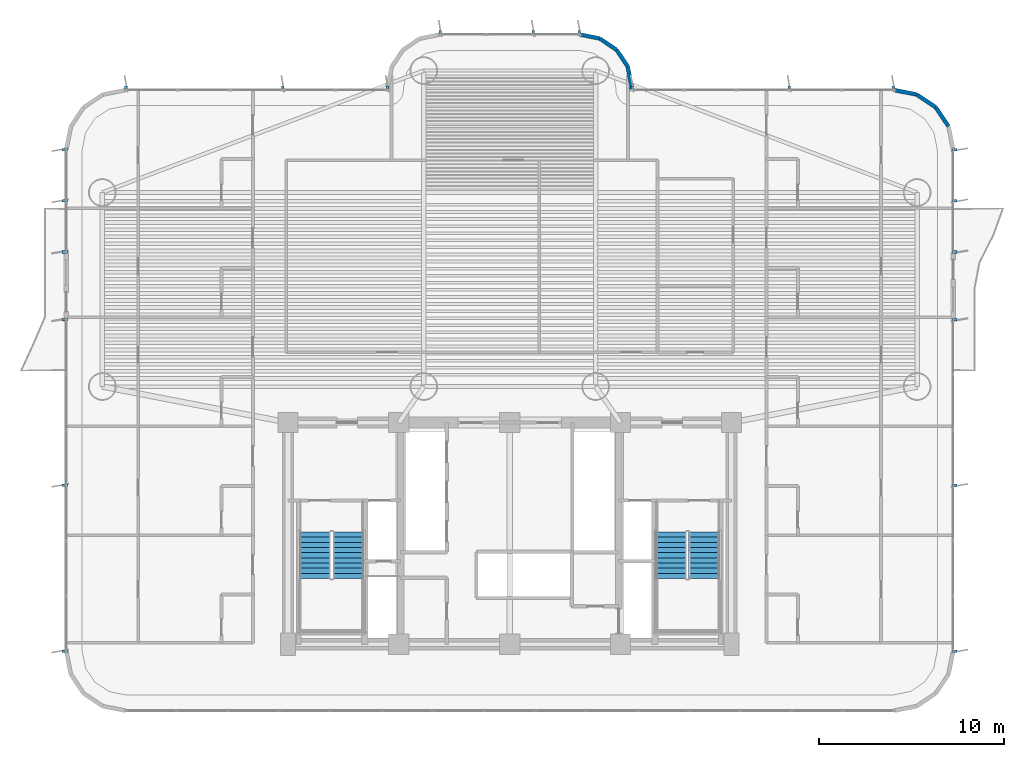
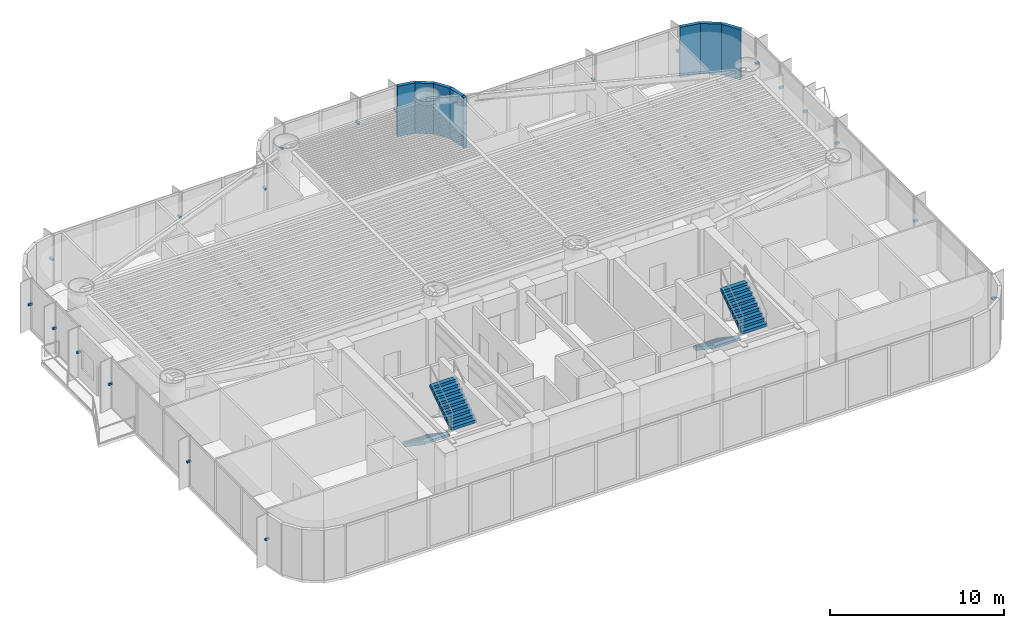
# One storey, part 14 of 18: 21 discrete accessories, 8 walls, 4 stair flights, 2 elements without a shape of their own.
"""IFC4 building model written with IfcOpenShell, lengths in metres."""

import ifcopenshell
import ifcopenshell.guid

model = None  # the IFC model being written
_history = None  # IfcOwnerHistory: only IFC2X3 demands one
_inside = {}  # id of a spatial element -> (the spatial element, [elements in it])
_under = {}  # id of a project, library or spatial element -> (it, [spatial elements below it])
_declared = {}  # id of a project -> (the project, [libraries it declares])
_typed = {}  # id of a type object -> (the type object, [elements of that type])
_made_of = {}  # id of a material, layer set ... -> (it, [elements and type objects made of it])


def new_model(schema):
    """Start an empty IFC model of exactly this schema.

    Asked for "IFC4X3", IfcOpenShell would pick the latest addendum, in which some entities
    have other attributes; the version numbers below select the first issue.
    IFC2X3 requires an IfcOwnerHistory on every rooted entity: one is made here for all.
    """
    global model, _history
    if schema == "IFC4X3":
        model = ifcopenshell.file(schema_version=(4, 3, 0, 0))
    else:
        model = ifcopenshell.file(schema=schema)
    _inside.clear()
    _under.clear()
    _declared.clear()
    _typed.clear()
    _made_of.clear()
    _history = None
    if model.schema == "IFC2X3":
        org = make("IfcOrganization", Name="unknown")
        user = make(
            "IfcPersonAndOrganization",
            ThePerson=make("IfcPerson", FamilyName="unknown"),
            TheOrganization=org,
        )
        app = make(
            "IfcApplication",
            ApplicationDeveloper=org,
            Version="unknown",
            ApplicationFullName="unknown",
            ApplicationIdentifier="unknown",
        )
        _history = make(
            "IfcOwnerHistory",
            OwningUser=user,
            OwningApplication=app,
            ChangeAction="ADDED",
            CreationDate=0,
        )
    return model


def make(cls, **values):
    """One entity of the class cls with the attributes given. An attribute that is None is left unset."""
    return model.create_entity(
        cls, **{name: value for name, value in values.items() if value is not None}
    )


def rooted(cls, **values):
    """An entity with a GlobalId (a new one), such as an element, a storey or a relation."""
    return make(cls, GlobalId=ifcopenshell.guid.new(), OwnerHistory=_history, **values)


def si_unit(unit_type, name, prefix=None):
    """IfcSIUnit, for example si_unit("LENGTHUNIT", "METRE", prefix="MILLI")."""
    return make("IfcSIUnit", UnitType=unit_type, Prefix=prefix, Name=name)


def assignment(units):
    """IfcUnitAssignment: the units of a project."""
    return None if units is None else make("IfcUnitAssignment", Units=units)


def point(xyz):
    """IfcCartesianPoint."""
    return None if xyz is None else make("IfcCartesianPoint", Coordinates=xyz)


def direction(xyz):
    """IfcDirection."""
    return None if xyz is None else make("IfcDirection", DirectionRatios=xyz)


def frame(location, z_axis=None, x_axis=None):
    """IfcAxis2Placement3D, a coordinate frame: its origin and axes. An axis left out is left unset."""
    return make(
        "IfcAxis2Placement3D",
        Location=point(location),
        Axis=direction(z_axis),
        RefDirection=direction(x_axis),
    )


def frame_2d(location, x_axis=None):
    """IfcAxis2Placement2D, a coordinate frame in the plane: its origin and x axis."""
    return make(
        "IfcAxis2Placement2D", Location=point(location), RefDirection=direction(x_axis)
    )


def origin():
    """The frame at (0, 0, 0) with its axes left unset."""
    return frame((0.0, 0.0, 0.0))


def origin_2d():
    """The frame at (0, 0) in the plane with its x axis left unset."""
    return frame_2d((0.0, 0.0))


def place(relative_to, where):
    """IfcLocalPlacement: puts the frame where relative to a parent placement (None: the world)."""
    return make(
        "IfcLocalPlacement", PlacementRelTo=relative_to, RelativePlacement=where
    )


def context(
    kind, dimensions, precision=None, world=None, true_north=None, identifier=None
):
    """IfcGeometricRepresentationContext, for example the 3D "Model" context."""
    return make(
        "IfcGeometricRepresentationContext",
        ContextIdentifier=identifier,
        ContextType=kind,
        CoordinateSpaceDimension=dimensions,
        Precision=precision,
        WorldCoordinateSystem=world,
        TrueNorth=true_north,
    )


def subcontext(parent, identifier, kind, view, scale=None):
    """IfcGeometricRepresentationSubContext, for example "Body" below "Model"."""
    return make(
        "IfcGeometricRepresentationSubContext",
        ContextIdentifier=identifier,
        ContextType=kind,
        ParentContext=parent,
        TargetScale=scale,
        TargetView=view,
    )


def project(units=None, contexts=None):
    """IfcProject with its units and contexts."""
    return rooted(
        "IfcProject",
        Name="project",
        RepresentationContexts=contexts,
        UnitsInContext=assignment(units),
    )


def spatial(cls, under=None, at=None, **own):
    """A site, building, storey or space (cls), placed at a placement, below another one or the project."""
    s = rooted(cls, ObjectPlacement=at, **own)
    if under is not None:
        _under.setdefault(under.id(), (under, []))[1].append(s)
    return s


def polyline(points):
    """IfcPolyline through the points."""
    return make("IfcPolyline", Points=[point(p) for p in points])


def profile(cls, at=None, kind="AREA", **sizes):
    """A parametric profile (cls). Its sizes go by their IFC names, for example OverallWidth=200.0."""
    return make(cls, ProfileType=kind, Position=at, **sizes)


def rectangle(**sizes):
    """IfcRectangleProfileDef."""
    return profile("IfcRectangleProfileDef", **sizes)


def outline(outer, holes=None, kind="AREA"):
    """IfcArbitraryClosedProfileDef: a profile drawn as a closed curve; with holes, ...WithVoids."""
    if holes is None:
        return make("IfcArbitraryClosedProfileDef", ProfileType=kind, OuterCurve=outer)
    return make(
        "IfcArbitraryProfileDefWithVoids",
        ProfileType=kind,
        OuterCurve=outer,
        InnerCurves=holes,
    )


def extrude(swept, where, along, depth):
    """IfcExtrudedAreaSolid: the profile swept, set in the frame where, extruded along a direction by depth."""
    return make(
        "IfcExtrudedAreaSolid",
        SweptArea=swept,
        Position=where,
        ExtrudedDirection=direction(along),
        Depth=depth,
    )


def shape(context_of_items, identifier, shape_type, items):
    """IfcShapeRepresentation: the items that make up one representation, for example the "Body"."""
    return make(
        "IfcShapeRepresentation",
        ContextOfItems=context_of_items,
        RepresentationIdentifier=identifier,
        RepresentationType=shape_type,
        Items=items,
    )


def source(mapping_origin, context_of_items, identifier, shape_type, items):
    """IfcRepresentationMap: a shape defined once, which mapped items show again and again."""
    return make(
        "IfcRepresentationMap",
        MappingOrigin=mapping_origin,
        MappedRepresentation=shape(context_of_items, identifier, shape_type, items),
    )


def transform(
    local_origin,
    x_axis=None,
    y_axis=None,
    z_axis=None,
    scale=None,
    scale2=None,
    scale3=None,
    uniform=True,
):
    """IfcCartesianTransformationOperator3D, or its non-uniform kind. x_axis, y_axis, z_axis: its Axis1, 2, 3."""
    if uniform:
        return make(
            "IfcCartesianTransformationOperator3D",
            Axis1=direction(x_axis),
            Axis2=direction(y_axis),
            LocalOrigin=point(local_origin),
            Scale=scale,
            Axis3=direction(z_axis),
        )
    return make(
        "IfcCartesianTransformationOperator3DnonUniform",
        Axis1=direction(x_axis),
        Axis2=direction(y_axis),
        LocalOrigin=point(local_origin),
        Scale=scale,
        Axis3=direction(z_axis),
        Scale2=scale2,
        Scale3=scale3,
    )


def mapped(mapping_source, mapping_target):
    """IfcMappedItem: shows the shape of a source again, moved by a transform."""
    return make(
        "IfcMappedItem", MappingSource=mapping_source, MappingTarget=mapping_target
    )


def material(Name=None, Category=None):
    """IfcMaterial."""
    return make("IfcMaterial", Name=Name, Category=Category)


def layer(
    of_material, thickness, ventilated=None, Name=None, Category=None, Priority=None
):
    """IfcMaterialLayer: one layer of a wall or slab, of a material (None: an air gap)."""
    return make(
        "IfcMaterialLayer",
        Material=of_material,
        LayerThickness=thickness,
        IsVentilated=ventilated,
        Name=Name,
        Category=Category,
        Priority=Priority,
    )


def layer_set(layers, Name=None):
    """IfcMaterialLayerSet."""
    return make("IfcMaterialLayerSet", MaterialLayers=layers, LayerSetName=Name)


def made_of(thing, what):
    """Note that an element or type object is made of a material, layer set ...; save() writes the relation."""
    if what is not None:
        _made_of.setdefault(what.id(), (what, []))[1].append(thing)
    return thing


def type_object(cls, material=None, **own):
    """A type object (cls), such as IfcWallType, which elements share."""
    return made_of(rooted(cls, **own), material)


def element(
    cls,
    number,
    at=None,
    inside=None,
    cuts=None,
    type_object=None,
    material=None,
    context=None,
    identifier="Body",
    shape_type=None,
    held_by="IfcProductDefinitionShape",
    body=None,
    shapes=None,
    **own,
):
    """One element of the class cls, such as IfcWall. Its Tag is "e" and its number.

    at: its placement. inside: the storey or other place that contains it. cuts: it is an
    opening in that element (IfcRelVoidsElement). A single representation is given by context,
    identifier, shape_type and body (its items); several are given by shapes. held_by: the class
    of the entity that holds the representations. save() writes the other relations.
    """
    e = rooted(cls, Tag="e%d" % number, ObjectPlacement=at, **own)
    if body is not None:
        shapes = [shape(context, identifier, shape_type, body)]
    if shapes is not None:
        e.Representation = make(held_by, Representations=shapes)
    if inside is not None:
        _inside.setdefault(inside.id(), (inside, []))[1].append(e)
    if cuts is not None:
        rooted(
            "IfcRelVoidsElement", RelatingBuildingElement=cuts, RelatedOpeningElement=e
        )
    if type_object is not None:
        _typed.setdefault(type_object.id(), (type_object, []))[1].append(e)
    return made_of(e, material)


def aggregate(whole, parts):
    """IfcRelAggregates: a whole, such as a stair, and the parts it consists of."""
    return rooted("IfcRelAggregates", RelatingObject=whole, RelatedObjects=parts)


def save(model, path):
    """Write the relations noted so far, then the file.

    IfcRelAggregates (storeys below a building ...), IfcRelContainedInSpatialStructure (elements
    in a storey), IfcRelDefinesByType, IfcRelAssociatesMaterial and IfcRelDeclares: one each for
    every whole, place, type object, material and project.
    """
    for whole, parts in _under.values():
        aggregate(whole, parts)
    for where, things in _inside.values():
        rooted(
            "IfcRelContainedInSpatialStructure",
            RelatedElements=things,
            RelatingStructure=where,
        )
    for kind, things in _typed.values():
        rooted("IfcRelDefinesByType", RelatedObjects=things, RelatingType=kind)
    for what, things in _made_of.values():
        rooted("IfcRelAssociatesMaterial", RelatedObjects=things, RelatingMaterial=what)
    for by, libraries in _declared.values():
        rooted("IfcRelDeclares", RelatingContext=by, RelatedDefinitions=libraries)
    model.write(path)


model = new_model("IFC4")

# Units and contexts
model_context = context("Model", 3, precision=1e-05, world=origin(), true_north=direction((0.0, 1.0)))
body_context = subcontext(model_context, "Body", "Model", "MODEL_VIEW")
ifc_project = project(units=[si_unit("LENGTHUNIT", "METRE"), si_unit("AREAUNIT", "SQUARE_METRE"), si_unit("VOLUMEUNIT", "CUBIC_METRE"), si_unit("PLANEANGLEUNIT", "RADIAN"), si_unit("MASSUNIT", "GRAM", prefix="KILO")], contexts=[model_context])

# Site, building, storey
site_placement = place(None, origin())
site = spatial("IfcSite", under=ifc_project, at=site_placement, CompositionType="ELEMENT")
building_placement = place(site_placement, origin())
building = spatial("IfcBuilding", under=site, at=building_placement, Name="Brelvock Crest Care Tower", CompositionType="ELEMENT")
storey_placement = place(building_placement, frame((0.0, 0.0, 38.340087890625)))
storey = spatial("IfcBuildingStorey", under=building, at=storey_placement, Name="L09", CompositionType="ELEMENT", Elevation=38.340087890625)

# Walls
ifc_material_1 = material(Name="Precast concrete N40 (40 MPa)", Category="concrete")
ifc_layer = layer(ifc_material_1, 0.215087890625, Name="WL-EX2")
ifc_layer_set = layer_set([ifc_layer], Name="Precast concrete N40 (40 MPa)")
wall_type = type_object("IfcWallType", Name="WL-EX2", PredefinedType="SOLIDWALL", material=ifc_layer_set)
for number, where, z_axis, x_axis, name in (
    (1, (58.024658203125, 35.75634765625, 0.0), (0.0, 0.0, 1.0), (0.831478245117, -0.555557312883, 0.0), "L09 Rounded Corner Wall 00"),
    (2, (59.062744140625, 35.062744140625, 0.0), (0.0, 0.0, 1.0), (0.555557312883, -0.831478245117, 0.0), "L09 Rounded Corner Wall 01"),
):
    element("IfcWall", number, at=place(storey_placement, frame(where, z_axis=z_axis, x_axis=x_axis)), inside=storey, type_object=wall_type, Name=name, PredefinedType="SOLIDWALL", context=body_context, shape_type="SweptSolid", body=[
        extrude(rectangle(XDim=1.24853515625, YDim=0.215087890625, at=frame_2d((0.624267578125, 0.0))), origin(), (0.0, 0.0, 1.0), 3.530029296875),
    ])
wall_1_placement = place(storey_placement, frame((39.800048828125, 39.0, 0.0), z_axis=(0.0, 0.0, 1.0), x_axis=(0.980786408364, -0.195084651288, 0.0)))
element("IfcWall", 3, at=wall_1_placement, inside=storey, type_object=wall_type, Name="L09 Rounded Corner Wall 25", PredefinedType="SOLIDWALL", context=body_context, shape_type="SweptSolid", body=[
    extrude(rectangle(XDim=1.092529296875, YDim=0.215087890625, at=frame_2d((0.54638671875, 0.0))), origin(), (0.0, 0.0, 1.0), 3.530029296875),
])
wall_2_placement = place(storey_placement, frame((40.87158203125, 38.786865234375, 0.0), z_axis=(0.0, 0.0, 1.0), x_axis=(0.831430845238, -0.555628247651, 0.0)))
element("IfcWall", 4, at=wall_2_placement, inside=storey, type_object=wall_type, Name="L09 Rounded Corner Wall 26", PredefinedType="SOLIDWALL", context=body_context, shape_type="SweptSolid", body=[
    extrude(rectangle(XDim=1.09228515625, YDim=0.215087890625, at=frame_2d((0.546142578125, 0.0))), origin(), (0.0, 0.0, 1.0), 3.530029296875),
])
wall_3_placement = place(storey_placement, frame((41.77978515625, 38.179931640625, 0.0), z_axis=(0.0, 0.0, 1.0), x_axis=(0.555679482341, -0.831396603857, 0.0)))
element("IfcWall", 5, at=wall_3_placement, inside=storey, type_object=wall_type, Name="L09 Rounded Corner Wall 27", PredefinedType="SOLIDWALL", context=body_context, shape_type="SweptSolid", body=[
    extrude(rectangle(XDim=1.0927734375, YDim=0.215087890625, at=frame_2d((0.54638671875, 0.0))), origin(), (0.0, 0.0, 1.0), 3.530029296875),
])
wall_4_placement = place(storey_placement, frame((42.386962890625, 37.271484375, 0.0), z_axis=(0.0, 0.0, 1.0), x_axis=(0.195084651288, -0.980786408364, 0.0)))
element("IfcWall", 6, at=wall_4_placement, inside=storey, type_object=wall_type, Name="L09 Rounded Corner Wall 28", PredefinedType="SOLIDWALL", context=body_context, shape_type="SweptSolid", body=[
    extrude(rectangle(XDim=1.092529296875, YDim=0.215087890625, at=frame_2d((0.54638671875, 0.0))), origin(), (0.0, 0.0, 1.0), 3.530029296875),
])
wall_5_placement = place(storey_placement, frame((42.60009765625, 36.199951171875, 0.0), z_axis=(0.0, 0.0, 1.0), x_axis=(0.0, -1.0, 0.0)))
element("IfcWall", 7, at=wall_5_placement, inside=storey, type_object=wall_type, Name="L09 Rounded Corner Wall 29", PredefinedType="SOLIDWALL", context=body_context, shape_type="SweptSolid", body=[
    extrude(rectangle(XDim=0.199951171875, YDim=0.215087890625, at=frame_2d((0.10009765625, 0.0))), origin(), (0.0, 0.0, 1.0), 3.530029296875),
])
wall_6_placement = place(storey_placement, frame((56.800048828125, 36.0, 0.0), z_axis=(0.0, 0.0, 1.0), x_axis=(0.980775717779, -0.195138390419, 0.0)))
element("IfcWall", 8, at=wall_6_placement, inside=storey, type_object=wall_type, Name="L09 Rounded Corner Wall 31", PredefinedType="SOLIDWALL", context=body_context, shape_type="SweptSolid", body=[
    extrude(rectangle(XDim=1.24853515625, YDim=0.215087890625, at=frame_2d((0.624267578125, 0.0))), origin(), (0.0, 0.0, 1.0), 3.530029296875),
])

# Stair, stair flights
ifc_material_2 = material(Name="Concrete N40 (40 MPa)", Category="concrete")
stair_type = type_object("IfcStairType", Name="ST-CORE1", PredefinedType="HALF_TURN_STAIR", material=ifc_material_2)
stair_1_placement = place(storey_placement, origin())
stair_1 = element("IfcStair", 9, at=stair_1_placement, inside=storey, type_object=stair_type, Name="L09 Fire-Isolated Core Stair ST-1", PredefinedType="HALF_TURN_STAIR")
stair_flight_type = type_object("IfcStairFlightType", Name="STF-1", PredefinedType="STRAIGHT", material=ifc_material_2)
stair_flight_1_placement = place(storey_placement, frame((25.469970703125, 12.080078125, 0.0), z_axis=(0.0, 0.0, 1.0), x_axis=(0.0, -1.0, 0.0)))
stair_flight_1 = element("IfcStairFlight", 10, at=stair_flight_1_placement, type_object=stair_flight_type, Name="ST-1 flight 1", NumberOfRisers=10, NumberOfTreads=9, PredefinedType="STRAIGHT", RiserHeight=0.189, TreadLength=0.28, context=body_context, shape_type="SweptSolid", body=[
    extrude(outline(polyline([(-0.00390625, -0.014892578125), (-0.00390625, -0.0078125), (-0.00390625, -0.00048828125), (-0.00390625, 0.0068359375), (-0.00390625, 0.01416015625), (-0.00390625, 0.021484375), (-0.00390625, 0.02880859375), (-0.00390625, 0.035888671875), (-0.00390625, 0.043212890625), (-0.00390625, 0.050537109375), (-0.00390625, 0.057861328125), (-0.00390625, 0.065185546875), (-0.00390625, 0.072509765625), (-0.00390625, 0.07958984375), (-0.00390625, 0.0869140625), (-0.00390625, 0.09423828125), (-0.00390625, 0.1015625), (-0.00390625, 0.10888671875), (-0.00390625, 0.1162109375), (-0.00390625, 0.12353515625), (-0.00390625, 0.130615234375), (-0.00390625, 0.137939453125), (-0.00390625, 0.145263671875), (-0.00390625, 0.152587890625), (-0.00390625, 0.159912109375), (-0.00390625, 0.167236328125), (-0.00390625, 0.17431640625), (-0.00390625, 0.181640625), (-0.00390625, 0.18896484375), (0.0, 0.18896484375), (0.280029296875, 0.18896484375), (0.280029296875, 0.3779296875), (0.56005859375, 0.3779296875), (0.56005859375, 0.56689453125), (0.840087890625, 0.56689453125), (0.840087890625, 0.756103515625), (1.1201171875, 0.756103515625), (1.1201171875, 0.945068359375), (1.39990234375, 0.945068359375), (1.39990234375, 1.134033203125), (1.679931640625, 1.134033203125), (1.679931640625, 1.322998046875), (1.9599609375, 1.322998046875), (1.9599609375, 1.511962890625), (2.239990234375, 1.511962890625), (2.239990234375, 1.700927734375), (2.52001953125, 1.700927734375), (2.52392578125, 1.700927734375), (2.523681640625, 1.70068359375), (2.52392578125, 1.700439453125), (2.523681640625, 1.699951171875), (2.52392578125, 1.69970703125), (2.523681640625, 1.699462890625), (2.52392578125, 1.698974609375), (2.523681640625, 1.69873046875), (2.52392578125, 1.698486328125), (2.523681640625, 1.697998046875), (2.52392578125, 1.69775390625), (2.523681640625, 1.697509765625), (2.52392578125, 1.697021484375), (2.523681640625, 1.69677734375), (2.52392578125, 1.696533203125), (2.523681640625, 1.6962890625), (2.52392578125, 1.69580078125), (2.523681640625, 1.695556640625), (2.52392578125, 1.6953125), (2.523681640625, 1.69482421875), (2.52392578125, 1.694580078125), (2.523681640625, 1.6943359375), (2.52392578125, 1.69384765625), (2.523681640625, 1.693603515625), (2.52392578125, 1.693359375), (2.523681640625, 1.69287109375), (2.52392578125, 1.692626953125), (2.523681640625, 1.6923828125), (2.52392578125, 1.69189453125), (2.52001953125, 1.520263671875), (0.267822265625, 0.0), (0.0, 0.0), (0.0, -0.014892578125), (-0.00390625, -0.014892578125)])), frame((0.0, 0.83984375, 0.0), z_axis=(0.0, -1.0, 0.0), x_axis=(1.0, 0.0, 0.0)), (0.0, 0.0, 1.0), 1.679931640625),
])
stair_flight_2_placement = place(storey_placement, frame((27.27001953125, 9.56005859375, 1.889892578125), z_axis=(0.0, 0.0, 1.0), x_axis=(0.0, 1.0, 0.0)))
stair_flight_2 = element("IfcStairFlight", 11, at=stair_flight_2_placement, type_object=stair_flight_type, Name="ST-1 flight 2", NumberOfRisers=10, NumberOfTreads=9, PredefinedType="STRAIGHT", RiserHeight=0.189, TreadLength=0.28, context=body_context, shape_type="SweptSolid", body=[
    extrude(outline(polyline([(-0.00390625, -0.014892578125), (-0.00390625, -0.0078125), (-0.00390625, -0.00048828125), (-0.00390625, 0.0068359375), (-0.00390625, 0.01416015625), (-0.00390625, 0.021484375), (-0.00390625, 0.02880859375), (-0.00390625, 0.035888671875), (-0.00390625, 0.043212890625), (-0.00390625, 0.050537109375), (-0.00390625, 0.057861328125), (-0.00390625, 0.065185546875), (-0.00390625, 0.072509765625), (-0.00390625, 0.07958984375), (-0.00390625, 0.0869140625), (-0.00390625, 0.09423828125), (-0.00390625, 0.1015625), (-0.00390625, 0.10888671875), (-0.00390625, 0.1162109375), (-0.00390625, 0.12353515625), (-0.00390625, 0.130615234375), (-0.00390625, 0.137939453125), (-0.00390625, 0.145263671875), (-0.00390625, 0.152587890625), (-0.00390625, 0.159912109375), (-0.00390625, 0.167236328125), (-0.00390625, 0.17431640625), (-0.00390625, 0.181640625), (-0.00390625, 0.18896484375), (0.0, 0.18896484375), (0.280029296875, 0.18896484375), (0.280029296875, 0.3779296875), (0.56005859375, 0.3779296875), (0.56005859375, 0.56689453125), (0.840087890625, 0.56689453125), (0.840087890625, 0.756103515625), (1.1201171875, 0.756103515625), (1.1201171875, 0.945068359375), (1.39990234375, 0.945068359375), (1.39990234375, 1.134033203125), (1.679931640625, 1.134033203125), (1.679931640625, 1.322998046875), (1.9599609375, 1.322998046875), (1.9599609375, 1.511962890625), (2.239990234375, 1.511962890625), (2.239990234375, 1.700927734375), (2.52001953125, 1.700927734375), (2.52392578125, 1.700927734375), (2.523681640625, 1.70068359375), (2.52392578125, 1.700439453125), (2.523681640625, 1.699951171875), (2.52392578125, 1.69970703125), (2.523681640625, 1.699462890625), (2.52392578125, 1.698974609375), (2.523681640625, 1.69873046875), (2.52392578125, 1.698486328125), (2.523681640625, 1.697998046875), (2.52392578125, 1.69775390625), (2.523681640625, 1.697509765625), (2.52392578125, 1.697021484375), (2.523681640625, 1.69677734375), (2.52392578125, 1.696533203125), (2.523681640625, 1.6962890625), (2.52392578125, 1.69580078125), (2.523681640625, 1.695556640625), (2.52392578125, 1.6953125), (2.523681640625, 1.69482421875), (2.52392578125, 1.694580078125), (2.523681640625, 1.6943359375), (2.52392578125, 1.69384765625), (2.523681640625, 1.693603515625), (2.52392578125, 1.693359375), (2.523681640625, 1.69287109375), (2.52392578125, 1.692626953125), (2.523681640625, 1.6923828125), (2.52392578125, 1.69189453125), (2.52001953125, 1.520263671875), (0.267822265625, 0.0), (0.0, 0.0), (0.0, -0.014892578125), (-0.00390625, -0.014892578125)])), frame((0.0, 0.83984375, 0.0), z_axis=(0.0, -1.0, 0.0), x_axis=(1.0, 0.0, 0.0)), (0.0, 0.0, 1.0), 1.679931640625),
])
aggregate(stair_1, [stair_flight_1, stair_flight_2])

stair_2_placement = place(storey_placement, origin())
stair_2 = element("IfcStair", 12, at=stair_2_placement, inside=storey, type_object=stair_type, Name="L09 Fire-Isolated Core Stair ST-2", PredefinedType="HALF_TURN_STAIR")
stair_flight_3_placement = place(storey_placement, frame((44.72998046875, 12.080078125, 0.0), z_axis=(0.0, 0.0, 1.0), x_axis=(0.0, -1.0, 0.0)))
stair_flight_3 = element("IfcStairFlight", 13, at=stair_flight_3_placement, type_object=stair_flight_type, Name="ST-2 flight 1", NumberOfRisers=10, NumberOfTreads=9, PredefinedType="STRAIGHT", RiserHeight=0.189, TreadLength=0.28, context=body_context, shape_type="SweptSolid", body=[
    extrude(outline(polyline([(-0.00390625, -0.014892578125), (-0.00390625, -0.0078125), (-0.00390625, -0.00048828125), (-0.00390625, 0.0068359375), (-0.00390625, 0.01416015625), (-0.00390625, 0.021484375), (-0.00390625, 0.02880859375), (-0.00390625, 0.035888671875), (-0.00390625, 0.043212890625), (-0.00390625, 0.050537109375), (-0.00390625, 0.057861328125), (-0.00390625, 0.065185546875), (-0.00390625, 0.072509765625), (-0.00390625, 0.07958984375), (-0.00390625, 0.0869140625), (-0.00390625, 0.09423828125), (-0.00390625, 0.1015625), (-0.00390625, 0.10888671875), (-0.00390625, 0.1162109375), (-0.00390625, 0.12353515625), (-0.00390625, 0.130615234375), (-0.00390625, 0.137939453125), (-0.00390625, 0.145263671875), (-0.00390625, 0.152587890625), (-0.00390625, 0.159912109375), (-0.00390625, 0.167236328125), (-0.00390625, 0.17431640625), (-0.00390625, 0.181640625), (-0.00390625, 0.18896484375), (0.0, 0.18896484375), (0.280029296875, 0.18896484375), (0.280029296875, 0.3779296875), (0.56005859375, 0.3779296875), (0.56005859375, 0.56689453125), (0.840087890625, 0.56689453125), (0.840087890625, 0.756103515625), (1.1201171875, 0.756103515625), (1.1201171875, 0.945068359375), (1.39990234375, 0.945068359375), (1.39990234375, 1.134033203125), (1.679931640625, 1.134033203125), (1.679931640625, 1.322998046875), (1.9599609375, 1.322998046875), (1.9599609375, 1.511962890625), (2.239990234375, 1.511962890625), (2.239990234375, 1.700927734375), (2.52001953125, 1.700927734375), (2.52392578125, 1.700927734375), (2.523681640625, 1.70068359375), (2.52392578125, 1.700439453125), (2.523681640625, 1.699951171875), (2.52392578125, 1.69970703125), (2.523681640625, 1.699462890625), (2.52392578125, 1.698974609375), (2.523681640625, 1.69873046875), (2.52392578125, 1.698486328125), (2.523681640625, 1.697998046875), (2.52392578125, 1.69775390625), (2.523681640625, 1.697509765625), (2.52392578125, 1.697021484375), (2.523681640625, 1.69677734375), (2.52392578125, 1.696533203125), (2.523681640625, 1.6962890625), (2.52392578125, 1.69580078125), (2.523681640625, 1.695556640625), (2.52392578125, 1.6953125), (2.523681640625, 1.69482421875), (2.52392578125, 1.694580078125), (2.523681640625, 1.6943359375), (2.52392578125, 1.69384765625), (2.523681640625, 1.693603515625), (2.52392578125, 1.693359375), (2.523681640625, 1.69287109375), (2.52392578125, 1.692626953125), (2.523681640625, 1.6923828125), (2.52392578125, 1.69189453125), (2.52001953125, 1.520263671875), (0.267822265625, 0.0), (0.0, 0.0), (0.0, -0.014892578125), (-0.00390625, -0.014892578125)])), frame((0.0, 0.83984375, 0.0), z_axis=(0.0, -1.0, 0.0), x_axis=(1.0, 0.0, 0.0)), (0.0, 0.0, 1.0), 1.679931640625),
])
stair_flight_4_placement = place(storey_placement, frame((46.530029296875, 9.56005859375, 1.889892578125), z_axis=(0.0, 0.0, 1.0), x_axis=(0.0, 1.0, 0.0)))
stair_flight_4 = element("IfcStairFlight", 14, at=stair_flight_4_placement, type_object=stair_flight_type, Name="ST-2 flight 2", NumberOfRisers=10, NumberOfTreads=9, PredefinedType="STRAIGHT", RiserHeight=0.189, TreadLength=0.28, context=body_context, shape_type="SweptSolid", body=[
    extrude(outline(polyline([(-0.00390625, -0.014892578125), (-0.00390625, -0.0078125), (-0.00390625, -0.00048828125), (-0.00390625, 0.0068359375), (-0.00390625, 0.01416015625), (-0.00390625, 0.021484375), (-0.00390625, 0.02880859375), (-0.00390625, 0.035888671875), (-0.00390625, 0.043212890625), (-0.00390625, 0.050537109375), (-0.00390625, 0.057861328125), (-0.00390625, 0.065185546875), (-0.00390625, 0.072509765625), (-0.00390625, 0.07958984375), (-0.00390625, 0.0869140625), (-0.00390625, 0.09423828125), (-0.00390625, 0.1015625), (-0.00390625, 0.10888671875), (-0.00390625, 0.1162109375), (-0.00390625, 0.12353515625), (-0.00390625, 0.130615234375), (-0.00390625, 0.137939453125), (-0.00390625, 0.145263671875), (-0.00390625, 0.152587890625), (-0.00390625, 0.159912109375), (-0.00390625, 0.167236328125), (-0.00390625, 0.17431640625), (-0.00390625, 0.181640625), (-0.00390625, 0.18896484375), (0.0, 0.18896484375), (0.280029296875, 0.18896484375), (0.280029296875, 0.3779296875), (0.56005859375, 0.3779296875), (0.56005859375, 0.56689453125), (0.840087890625, 0.56689453125), (0.840087890625, 0.756103515625), (1.1201171875, 0.756103515625), (1.1201171875, 0.945068359375), (1.39990234375, 0.945068359375), (1.39990234375, 1.134033203125), (1.679931640625, 1.134033203125), (1.679931640625, 1.322998046875), (1.9599609375, 1.322998046875), (1.9599609375, 1.511962890625), (2.239990234375, 1.511962890625), (2.239990234375, 1.700927734375), (2.52001953125, 1.700927734375), (2.52392578125, 1.700927734375), (2.523681640625, 1.70068359375), (2.52392578125, 1.700439453125), (2.523681640625, 1.699951171875), (2.52392578125, 1.69970703125), (2.523681640625, 1.699462890625), (2.52392578125, 1.698974609375), (2.523681640625, 1.69873046875), (2.52392578125, 1.698486328125), (2.523681640625, 1.697998046875), (2.52392578125, 1.69775390625), (2.523681640625, 1.697509765625), (2.52392578125, 1.697021484375), (2.523681640625, 1.69677734375), (2.52392578125, 1.696533203125), (2.523681640625, 1.6962890625), (2.52392578125, 1.69580078125), (2.523681640625, 1.695556640625), (2.52392578125, 1.6953125), (2.523681640625, 1.69482421875), (2.52392578125, 1.694580078125), (2.523681640625, 1.6943359375), (2.52392578125, 1.69384765625), (2.523681640625, 1.693603515625), (2.52392578125, 1.693359375), (2.523681640625, 1.69287109375), (2.52392578125, 1.692626953125), (2.523681640625, 1.6923828125), (2.52392578125, 1.69189453125), (2.52001953125, 1.520263671875), (0.267822265625, 0.0), (0.0, 0.0), (0.0, -0.014892578125), (-0.00390625, -0.014892578125)])), frame((0.0, 0.83984375, 0.0), z_axis=(0.0, -1.0, 0.0), x_axis=(1.0, 0.0, 0.0)), (0.0, 0.0, 1.0), 1.679931640625),
])
aggregate(stair_2, [stair_flight_3, stair_flight_4])

# Discrete accessories
ifc_material_3 = material(Name="Steel Grade 350", Category="steel")
discrete_accessory_type = type_object("IfcDiscreteAccessoryType", Name="ACC-BRK1", PredefinedType="BRACKET", material=ifc_material_3)
shared_shape = source(origin(), body_context, "Body", "SweptSolid", [
    extrude(rectangle(XDim=0.280029296875, YDim=0.139892578125, at=origin_2d()), origin(), (0.0, 0.0, 1.0), 0.139892578125),
])
for number, where, z_axis, x_axis, name in (
    (15, (60.080078125, 32.767578125, 1.69482421875), (0.0, 0.0, 1.0), (1.0, 0.0, 0.0), "L09 Facade Fin Bracket E03A-01"),
    (16, (60.080078125, 30.0, 1.69482421875), (0.0, 0.0, 1.0), (1.0, 0.0, 0.0), "L09 Facade Fin Bracket E03A-02"),
    (17, (60.080078125, 27.232421875, 1.69482421875), (0.0, 0.0, 1.0), (1.0, 0.0, 0.0), "L09 Facade Fin Bracket E03A-03"),
    (18, (60.080078125, 23.5673828125, 1.69482421875), (0.0, 0.0, 1.0), (1.0, 0.0, 0.0), "L09 Facade Fin Bracket E03B-01"),
    (19, (60.080078125, 14.60009765625, 1.69482421875), (0.0, 0.0, 1.0), (1.0, 0.0, 0.0), "L09 Facade Fin Bracket E03B-04"),
    (20, (60.080078125, 5.632568359375, 1.69482421875), (0.0, 0.0, 1.0), (1.0, 0.0, 0.0), "L09 Facade Fin Bracket E03B-07"),
    (21, (11.919921875, 5.632568359375, 1.69482421875), (0.0, 0.0, 1.0), (-1.0, 0.0, 0.0), "L09 Facade Fin Bracket E13A-01"),
    (22, (11.919921875, 14.60009765625, 1.69482421875), (0.0, 0.0, 1.0), (-1.0, 0.0, 0.0), "L09 Facade Fin Bracket E13A-04"),
    (23, (11.919921875, 23.5673828125, 1.69482421875), (0.0, 0.0, 1.0), (-1.0, 0.0, 0.0), "L09 Facade Fin Bracket E13A-07"),
    (24, (11.919921875, 27.232421875, 1.69482421875), (0.0, 0.0, 1.0), (-1.0, 0.0, 0.0), "L09 Facade Fin Bracket E13B-01"),
    (25, (11.919921875, 30.0, 1.69482421875), (0.0, 0.0, 1.0), (-1.0, 0.0, 0.0), "L09 Facade Fin Bracket E13B-02"),
    (26, (11.919921875, 32.767578125, 1.69482421875), (0.0, 0.0, 1.0), (-1.0, 0.0, 0.0), "L09 Facade Fin Bracket E13B-03"),
    (27, (15.232421875, 36.080078125, 1.69482421875), (0.0, 0.0, 1.0), (0.0, 1.0, 0.0), "L09 Facade Fin Bracket E18-01"),
    (28, (23.719970703125, 36.080078125, 1.69482421875), (0.0, 0.0, 1.0), (0.0, 1.0, 0.0), "L09 Facade Fin Bracket E18-04"),
    (29, (29.367431640625, 36.080078125, 1.69482421875), (0.0, 0.0, 1.0), (0.0, 1.0, 0.0), "L09 Facade Fin Bracket E18-06"),
    (30, (32.232421875, 39.080078125, 1.69482421875), (0.0, 0.0, 1.0), (0.0, 1.0, 0.0), "L09 Facade Fin Bracket E24-01"),
    (31, (37.2666015625, 39.080078125, 1.69482421875), (0.0, 0.0, 1.0), (0.0, 1.0, 0.0), "L09 Facade Fin Bracket E24-03"),
    (32, (39.767578125, 39.080078125, 1.69482421875), (0.0, 0.0, 1.0), (0.0, 1.0, 0.0), "L09 Facade Fin Bracket E24-04"),
    (33, (42.632568359375, 36.080078125, 1.69482421875), (0.0, 0.0, 1.0), (0.0, 1.0, 0.0), "L09 Facade Fin Bracket E30-01"),
    (34, (51.1201171875, 36.080078125, 1.69482421875), (0.0, 0.0, 1.0), (0.0, 1.0, 0.0), "L09 Facade Fin Bracket E30-04"),
    (35, (56.767578125, 36.080078125, 1.69482421875), (0.0, 0.0, 1.0), (0.0, 1.0, 0.0), "L09 Facade Fin Bracket E30-06"),
):
    element("IfcDiscreteAccessory", number, at=place(storey_placement, frame(where, z_axis=z_axis, x_axis=x_axis)), inside=storey, type_object=discrete_accessory_type, Name=name, PredefinedType="BRACKET", context=body_context, shape_type="MappedRepresentation", body=[
        mapped(shared_shape, transform((0.0, 0.0, 0.0), x_axis=(1.0, 0.0, 0.0), y_axis=(0.0, 1.0, 0.0), z_axis=(0.0, 0.0, 1.0), scale=1.0)),
    ])

save(model, "model.ifc")
